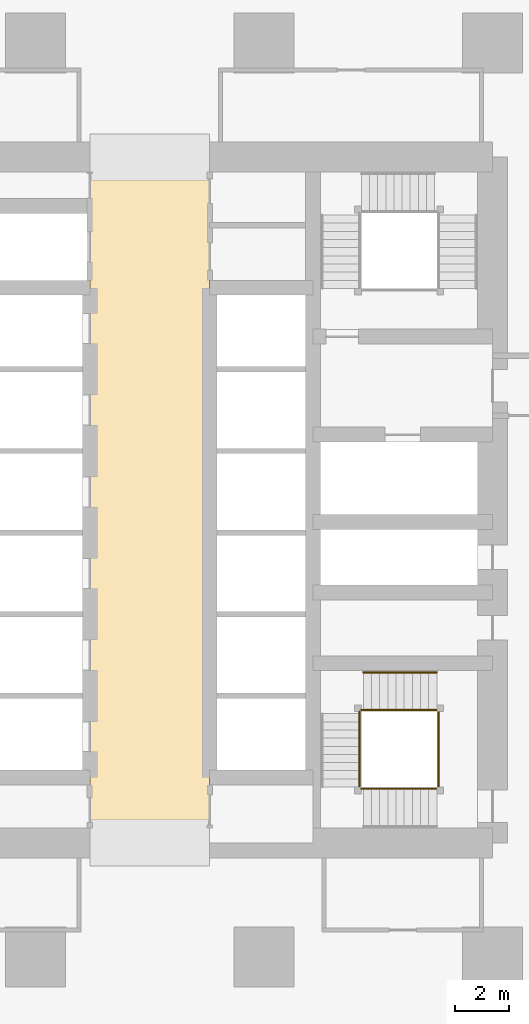
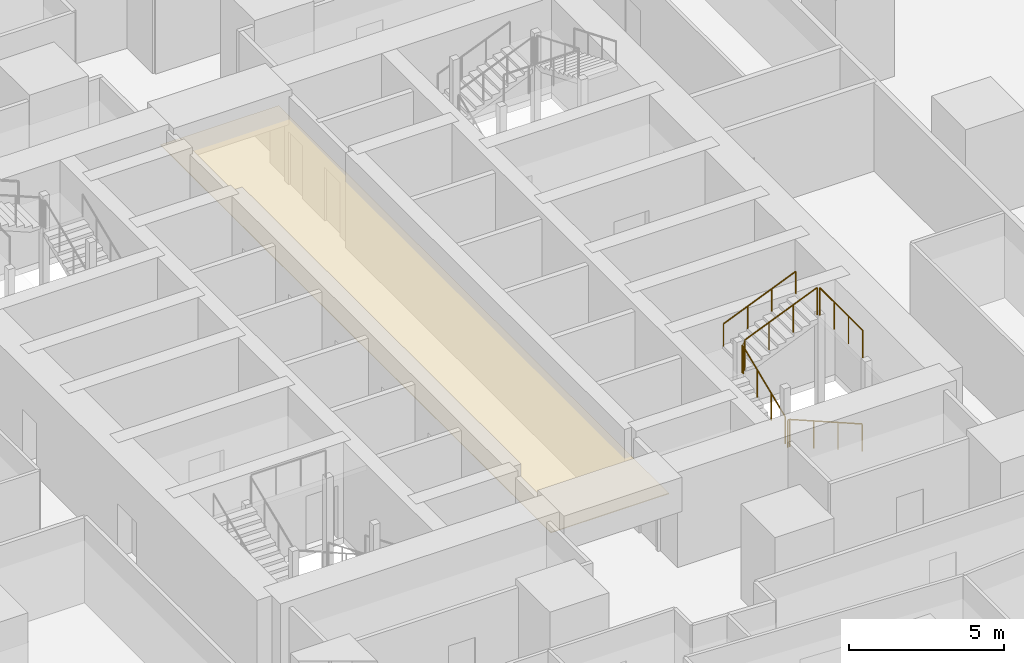
# One storey, part 37 of 42: 8 railings, 1 covering.
"""IFC4 building model written with IfcOpenShell, lengths in metres."""

import ifcopenshell
import ifcopenshell.guid

model = None  # the IFC model being written
_history = None  # IfcOwnerHistory: only IFC2X3 demands one
_inside = {}  # id of a spatial element -> (the spatial element, [elements in it])
_under = {}  # id of a project, library or spatial element -> (it, [spatial elements below it])
_declared = {}  # id of a project -> (the project, [libraries it declares])
_typed = {}  # id of a type object -> (the type object, [elements of that type])
_made_of = {}  # id of a material, layer set ... -> (it, [elements and type objects made of it])


def new_model(schema):
    """Start an empty IFC model of exactly this schema.

    Asked for "IFC4X3", IfcOpenShell would pick the latest addendum, in which some entities
    have other attributes; the version numbers below select the first issue.
    IFC2X3 requires an IfcOwnerHistory on every rooted entity: one is made here for all.
    """
    global model, _history
    if schema == "IFC4X3":
        model = ifcopenshell.file(schema_version=(4, 3, 0, 0))
    else:
        model = ifcopenshell.file(schema=schema)
    _inside.clear()
    _under.clear()
    _declared.clear()
    _typed.clear()
    _made_of.clear()
    _history = None
    if model.schema == "IFC2X3":
        org = make("IfcOrganization", Name="unknown")
        user = make(
            "IfcPersonAndOrganization",
            ThePerson=make("IfcPerson", FamilyName="unknown"),
            TheOrganization=org,
        )
        app = make(
            "IfcApplication",
            ApplicationDeveloper=org,
            Version="unknown",
            ApplicationFullName="unknown",
            ApplicationIdentifier="unknown",
        )
        _history = make(
            "IfcOwnerHistory",
            OwningUser=user,
            OwningApplication=app,
            ChangeAction="ADDED",
            CreationDate=0,
        )
    return model


def make(cls, **values):
    """One entity of the class cls with the attributes given. An attribute that is None is left unset."""
    return model.create_entity(
        cls, **{name: value for name, value in values.items() if value is not None}
    )


def rooted(cls, **values):
    """An entity with a GlobalId (a new one), such as an element, a storey or a relation."""
    return make(cls, GlobalId=ifcopenshell.guid.new(), OwnerHistory=_history, **values)


def si_unit(unit_type, name, prefix=None):
    """IfcSIUnit, for example si_unit("LENGTHUNIT", "METRE", prefix="MILLI")."""
    return make("IfcSIUnit", UnitType=unit_type, Prefix=prefix, Name=name)


def assignment(units):
    """IfcUnitAssignment: the units of a project."""
    return None if units is None else make("IfcUnitAssignment", Units=units)


def point(xyz):
    """IfcCartesianPoint."""
    return None if xyz is None else make("IfcCartesianPoint", Coordinates=xyz)


def direction(xyz):
    """IfcDirection."""
    return None if xyz is None else make("IfcDirection", DirectionRatios=xyz)


def frame(location, z_axis=None, x_axis=None):
    """IfcAxis2Placement3D, a coordinate frame: its origin and axes. An axis left out is left unset."""
    return make(
        "IfcAxis2Placement3D",
        Location=point(location),
        Axis=direction(z_axis),
        RefDirection=direction(x_axis),
    )


def frame_2d(location, x_axis=None):
    """IfcAxis2Placement2D, a coordinate frame in the plane: its origin and x axis."""
    return make(
        "IfcAxis2Placement2D", Location=point(location), RefDirection=direction(x_axis)
    )


def origin():
    """The frame at (0, 0, 0) with its axes left unset."""
    return frame((0.0, 0.0, 0.0))


def origin_2d():
    """The frame at (0, 0) in the plane with its x axis left unset."""
    return frame_2d((0.0, 0.0))


def place(relative_to, where):
    """IfcLocalPlacement: puts the frame where relative to a parent placement (None: the world)."""
    return make(
        "IfcLocalPlacement", PlacementRelTo=relative_to, RelativePlacement=where
    )


def context(
    kind, dimensions, precision=None, world=None, true_north=None, identifier=None
):
    """IfcGeometricRepresentationContext, for example the 3D "Model" context."""
    return make(
        "IfcGeometricRepresentationContext",
        ContextIdentifier=identifier,
        ContextType=kind,
        CoordinateSpaceDimension=dimensions,
        Precision=precision,
        WorldCoordinateSystem=world,
        TrueNorth=true_north,
    )


def subcontext(parent, identifier, kind, view, scale=None):
    """IfcGeometricRepresentationSubContext, for example "Body" below "Model"."""
    return make(
        "IfcGeometricRepresentationSubContext",
        ContextIdentifier=identifier,
        ContextType=kind,
        ParentContext=parent,
        TargetScale=scale,
        TargetView=view,
    )


def project(units=None, contexts=None):
    """IfcProject with its units and contexts."""
    return rooted(
        "IfcProject",
        Name="project",
        RepresentationContexts=contexts,
        UnitsInContext=assignment(units),
    )


def spatial(cls, under=None, at=None, **own):
    """A site, building, storey or space (cls), placed at a placement, below another one or the project."""
    s = rooted(cls, ObjectPlacement=at, **own)
    if under is not None:
        _under.setdefault(under.id(), (under, []))[1].append(s)
    return s


def polyline(points):
    """IfcPolyline through the points."""
    return make("IfcPolyline", Points=[point(p) for p in points])


def profile(cls, at=None, kind="AREA", **sizes):
    """A parametric profile (cls). Its sizes go by their IFC names, for example OverallWidth=200.0."""
    return make(cls, ProfileType=kind, Position=at, **sizes)


def circle(**sizes):
    """IfcCircleProfileDef."""
    return profile("IfcCircleProfileDef", **sizes)


def outline(outer, holes=None, kind="AREA"):
    """IfcArbitraryClosedProfileDef: a profile drawn as a closed curve; with holes, ...WithVoids."""
    if holes is None:
        return make("IfcArbitraryClosedProfileDef", ProfileType=kind, OuterCurve=outer)
    return make(
        "IfcArbitraryProfileDefWithVoids",
        ProfileType=kind,
        OuterCurve=outer,
        InnerCurves=holes,
    )


def extrude(swept, where, along, depth):
    """IfcExtrudedAreaSolid: the profile swept, set in the frame where, extruded along a direction by depth."""
    return make(
        "IfcExtrudedAreaSolid",
        SweptArea=swept,
        Position=where,
        ExtrudedDirection=direction(along),
        Depth=depth,
    )


def shape(context_of_items, identifier, shape_type, items):
    """IfcShapeRepresentation: the items that make up one representation, for example the "Body"."""
    return make(
        "IfcShapeRepresentation",
        ContextOfItems=context_of_items,
        RepresentationIdentifier=identifier,
        RepresentationType=shape_type,
        Items=items,
    )


def material(Name=None, Category=None):
    """IfcMaterial."""
    return make("IfcMaterial", Name=Name, Category=Category)


def layer(
    of_material, thickness, ventilated=None, Name=None, Category=None, Priority=None
):
    """IfcMaterialLayer: one layer of a wall or slab, of a material (None: an air gap)."""
    return make(
        "IfcMaterialLayer",
        Material=of_material,
        LayerThickness=thickness,
        IsVentilated=ventilated,
        Name=Name,
        Category=Category,
        Priority=Priority,
    )


def layer_set(layers, Name=None):
    """IfcMaterialLayerSet."""
    return make("IfcMaterialLayerSet", MaterialLayers=layers, LayerSetName=Name)


def made_of(thing, what):
    """Note that an element or type object is made of a material, layer set ...; save() writes the relation."""
    if what is not None:
        _made_of.setdefault(what.id(), (what, []))[1].append(thing)
    return thing


def type_object(cls, material=None, **own):
    """A type object (cls), such as IfcWallType, which elements share."""
    return made_of(rooted(cls, **own), material)


def element(
    cls,
    number,
    at=None,
    inside=None,
    cuts=None,
    type_object=None,
    material=None,
    context=None,
    identifier="Body",
    shape_type=None,
    held_by="IfcProductDefinitionShape",
    body=None,
    shapes=None,
    **own,
):
    """One element of the class cls, such as IfcWall. Its Tag is "e" and its number.

    at: its placement. inside: the storey or other place that contains it. cuts: it is an
    opening in that element (IfcRelVoidsElement). A single representation is given by context,
    identifier, shape_type and body (its items); several are given by shapes. held_by: the class
    of the entity that holds the representations. save() writes the other relations.
    """
    e = rooted(cls, Tag="e%d" % number, ObjectPlacement=at, **own)
    if body is not None:
        shapes = [shape(context, identifier, shape_type, body)]
    if shapes is not None:
        e.Representation = make(held_by, Representations=shapes)
    if inside is not None:
        _inside.setdefault(inside.id(), (inside, []))[1].append(e)
    if cuts is not None:
        rooted(
            "IfcRelVoidsElement", RelatingBuildingElement=cuts, RelatedOpeningElement=e
        )
    if type_object is not None:
        _typed.setdefault(type_object.id(), (type_object, []))[1].append(e)
    return made_of(e, material)


def aggregate(whole, parts):
    """IfcRelAggregates: a whole, such as a stair, and the parts it consists of."""
    return rooted("IfcRelAggregates", RelatingObject=whole, RelatedObjects=parts)


def save(model, path):
    """Write the relations noted so far, then the file.

    IfcRelAggregates (storeys below a building ...), IfcRelContainedInSpatialStructure (elements
    in a storey), IfcRelDefinesByType, IfcRelAssociatesMaterial and IfcRelDeclares: one each for
    every whole, place, type object, material and project.
    """
    for whole, parts in _under.values():
        aggregate(whole, parts)
    for where, things in _inside.values():
        rooted(
            "IfcRelContainedInSpatialStructure",
            RelatedElements=things,
            RelatingStructure=where,
        )
    for kind, things in _typed.values():
        rooted("IfcRelDefinesByType", RelatedObjects=things, RelatingType=kind)
    for what, things in _made_of.values():
        rooted("IfcRelAssociatesMaterial", RelatedObjects=things, RelatingMaterial=what)
    for by, libraries in _declared.values():
        rooted("IfcRelDeclares", RelatingContext=by, RelatedDefinitions=libraries)
    model.write(path)


model = new_model("IFC4")

# Units and contexts
model_context = context("Model", 3, precision=1e-05, world=origin(), true_north=direction((0.0, 1.0)))
body_context = subcontext(model_context, "Body", "Model", "MODEL_VIEW")
ifc_project = project(units=[si_unit("LENGTHUNIT", "METRE"), si_unit("AREAUNIT", "SQUARE_METRE"), si_unit("VOLUMEUNIT", "CUBIC_METRE"), si_unit("PLANEANGLEUNIT", "RADIAN"), si_unit("MASSUNIT", "GRAM", prefix="KILO")], contexts=[model_context])

# Site, building, storey
site_placement = place(None, origin())
site = spatial("IfcSite", under=ifc_project, at=site_placement, CompositionType="ELEMENT")
building_placement = place(site_placement, origin())
building = spatial("IfcBuilding", under=site, at=building_placement, Name="Rekha Terrace Tower", CompositionType="ELEMENT")
storey_placement = place(building_placement, frame((0.0, 0.0, 70.39990234375)))
storey = spatial("IfcBuildingStorey", under=building, at=storey_placement, Name="L17", CompositionType="ELEMENT", Elevation=70.39990234375)

# Covering
ifc_material_1 = material(Name="Powder-coated aluminium pan", Category="aluminium")
ifc_layer = layer(ifc_material_1, 0.030029296875)
ifc_layer_set = layer_set([ifc_layer], Name="Powder-coated aluminium pan")
covering_type = type_object("IfcCoveringType", Name="CL3 300x1200 metal pan ceiling", PredefinedType="CEILING", material=ifc_layer_set)
covering_placement = place(storey_placement, frame((0.0, 0.0, 2.570068359375)))
element("IfcCovering", 1, at=covering_placement, inside=storey, type_object=covering_type, Name="Ceiling L17-LOBBY", PredefinedType="CEILING", context=body_context, shape_type="SweptSolid", body=[
    extrude(outline(polyline([(40.0, 46.199951171875), (35.60009765625, 46.199951171875), (35.60009765625, 21.0), (40.0, 21.0), (40.0, 46.199951171875)])), origin(), (0.0, 0.0, 1.0), 0.030029296875),
])

# Railings
ifc_material_2 = material(Name="Stainless steel balustrade", Category="steel")
railing_type_1 = type_object("IfcRailingType", Name="GR1 1100 stair guard", PredefinedType="GUARDRAIL", material=ifc_material_2)
railing_1_placement = place(storey_placement, frame((48.35009765625, 22.989990234375, 0.125)))
element("IfcRailing", 2, at=railing_1_placement, inside=storey, type_object=railing_type_1, Name="Guard ST3 L17 flight 1", PredefinedType="GUARDRAIL", context=body_context, shape_type="SweptSolid", body=[
    extrude(circle(Radius=0.02392578125, at=origin_2d()), frame((0.0, 0.0, 1.076171875), z_axis=(-0.923086799901, 0.0, 0.38459167938), x_axis=(0.0, -1.0, 0.0)), (0.0, 0.0, 1.0), 2.92529296875),
    extrude(circle(Radius=0.02099609375, at=origin_2d()), origin(), (0.0, 0.0, 1.0), 1.052001953125),
    extrude(circle(Radius=0.02099609375, at=origin_2d()), frame((-0.900146484375, 0.0, 0.375)), (0.0, 0.0, 1.0), 1.052001953125),
    extrude(circle(Radius=0.02099609375, at=origin_2d()), frame((-1.800048828125, 0.0, 0.75)), (0.0, 0.0, 1.0), 1.052001953125),
    extrude(circle(Radius=0.02099609375, at=origin_2d()), frame((-2.7001953125, 0.0, 1.125)), (0.0, 0.0, 1.0), 1.052001953125),
])
railing_2_placement = place(storey_placement, frame((45.514892578125, 23.050048828125, 1.375)))
element("IfcRailing", 3, at=railing_2_placement, inside=storey, type_object=railing_type_1, Name="Guard ST3 L17 flight 2", PredefinedType="GUARDRAIL", context=body_context, shape_type="SweptSolid", body=[
    extrude(circle(Radius=0.02392578125, at=origin_2d()), frame((0.0, 0.0, 1.076171875), z_axis=(0.0, 0.923074453586, 0.384621311341), x_axis=(-1.0, 0.0, 0.0)), (0.0, 0.0, 1.0), 2.925048828125),
    extrude(circle(Radius=0.02099609375, at=origin_2d()), origin(), (0.0, 0.0, 1.0), 1.052001953125),
    extrude(circle(Radius=0.02099609375, at=origin_2d()), frame((0.0, 0.89990234375, 0.375)), (0.0, 0.0, 1.0), 1.052001953125),
    extrude(circle(Radius=0.02099609375, at=origin_2d()), frame((0.0, 1.800048828125, 0.75)), (0.0, 0.0, 1.0), 1.052001953125),
    extrude(circle(Radius=0.02099609375, at=origin_2d()), frame((0.0, 2.699951171875, 1.125)), (0.0, 0.0, 1.0), 1.052001953125),
])
railing_3_placement = place(storey_placement, frame((45.64990234375, 25.885009765625, 2.625)))
element("IfcRailing", 4, at=railing_3_placement, inside=storey, type_object=railing_type_1, Name="Guard ST3 L17 flight 3", PredefinedType="GUARDRAIL", context=body_context, shape_type="SweptSolid", body=[
    extrude(circle(Radius=0.02392578125, at=origin_2d()), frame((0.0, 0.0, 1.076171875), z_axis=(0.923086799901, 0.0, 0.38459167938), x_axis=(0.0, 1.0, 0.0)), (0.0, 0.0, 1.0), 2.92529296875),
    extrude(circle(Radius=0.02099609375, at=origin_2d()), origin(), (0.0, 0.0, 1.0), 1.052001953125),
    extrude(circle(Radius=0.02099609375, at=origin_2d()), frame((0.900146484375, 0.0, 0.375)), (0.0, 0.0, 1.0), 1.052001953125),
    extrude(circle(Radius=0.02099609375, at=origin_2d()), frame((1.800048828125, 0.0, 0.75)), (0.0, 0.0, 1.0), 1.052001953125),
    extrude(circle(Radius=0.02099609375, at=origin_2d()), frame((2.7001953125, 0.0, 1.125)), (0.0, 0.0, 1.0), 1.052001953125),
])
railing_4_placement = place(storey_placement, frame((45.64990234375, 22.989990234375, 1.25)))
element("IfcRailing", 5, at=railing_4_placement, inside=storey, type_object=railing_type_1, Name="Guard ST3 L17 landing 1", PredefinedType="GUARDRAIL", context=body_context, shape_type="SweptSolid", body=[
    extrude(circle(Radius=0.02392578125, at=origin_2d()), frame((0.0, 0.0, 1.076171875), z_axis=(-1.0, 0.0, 0.0), x_axis=(0.0, -1.0, 0.0)), (0.0, 0.0, 1.0), 0.074951171875),
    extrude(circle(Radius=0.02099609375, at=origin_2d()), origin(), (0.0, 0.0, 1.0), 1.052001953125),
    extrude(circle(Radius=0.02099609375, at=origin_2d()), frame((-0.074951171875, 0.0, 0.0)), (0.0, 0.0, 1.0), 1.052001953125),
])
railing_5_placement = place(storey_placement, frame((45.514892578125, 25.75, 2.5)))
element("IfcRailing", 6, at=railing_5_placement, inside=storey, type_object=railing_type_1, Name="Guard ST3 L17 landing 2", PredefinedType="GUARDRAIL", context=body_context, shape_type="SweptSolid", body=[
    extrude(circle(Radius=0.02392578125, at=origin_2d()), frame((0.0, 0.0, 1.076171875), z_axis=(0.0, 1.0, 0.0), x_axis=(-1.0, 0.0, 0.0)), (0.0, 0.0, 1.0), 0.074951171875),
    extrude(circle(Radius=0.02099609375, at=origin_2d()), origin(), (0.0, 0.0, 1.0), 1.052001953125),
    extrude(circle(Radius=0.02099609375, at=origin_2d()), frame((0.0, 0.074951171875, 0.0)), (0.0, 0.0, 1.0), 1.052001953125),
])
railing_6_placement = place(storey_placement, frame((45.64990234375, 25.885009765625, 2.5)))
element("IfcRailing", 7, at=railing_6_placement, inside=storey, type_object=railing_type_1, Name="Guard ST3 L17 landing 3", PredefinedType="GUARDRAIL", context=body_context, shape_type="SweptSolid", body=[
    extrude(circle(Radius=0.02392578125, at=origin_2d()), frame((0.0, 0.0, 1.076171875), z_axis=(-1.0, 0.0, 0.0), x_axis=(0.0, -1.0, 0.0)), (0.0, 0.0, 1.0), 0.074951171875),
    extrude(circle(Radius=0.02099609375, at=origin_2d()), origin(), (0.0, 0.0, 1.0), 1.052001953125),
    extrude(circle(Radius=0.02099609375, at=origin_2d()), frame((-0.074951171875, 0.0, 0.0)), (0.0, 0.0, 1.0), 1.052001953125),
])
railing_7_placement = place(storey_placement, frame((48.409912109375, 23.050048828125, 3.75)))
element("IfcRailing", 8, at=railing_7_placement, inside=storey, type_object=railing_type_1, Name="Guard ST3 L17 landing 4", PredefinedType="GUARDRAIL", context=body_context, shape_type="SweptSolid", body=[
    extrude(circle(Radius=0.02392578125, at=origin_2d()), frame((0.0, 0.0, 1.076171875), z_axis=(0.0, 1.0, 0.0), x_axis=(-1.0, 0.0, 0.0)), (0.0, 0.0, 1.0), 2.77490234375),
    extrude(circle(Radius=0.02099609375, at=origin_2d()), origin(), (0.0, 0.0, 1.0), 1.052001953125),
    extrude(circle(Radius=0.02099609375, at=origin_2d()), frame((0.0, 0.925048828125, 0.0)), (0.0, 0.0, 1.0), 1.052001953125),
    extrude(circle(Radius=0.02099609375, at=origin_2d()), frame((0.0, 1.849853515625, 0.0)), (0.0, 0.0, 1.0), 1.052001953125),
    extrude(circle(Radius=0.02099609375, at=origin_2d()), frame((0.0, 2.77490234375, 0.0)), (0.0, 0.0, 1.0), 1.052001953125),
])
ifc_material_3 = material(Name="Stainless steel tube", Category="steel")
railing_type_2 = type_object("IfcRailingType", Name="HR1 900 stair handrail", PredefinedType="HANDRAIL", material=ifc_material_3)
railing_8_placement = place(storey_placement, frame((45.64990234375, 27.264892578125, 2.625)))
element("IfcRailing", 9, at=railing_8_placement, inside=storey, type_object=railing_type_2, Name="Handrail ST3 L17 flight 3", PredefinedType="HANDRAIL", context=body_context, shape_type="SweptSolid", body=[
    extrude(circle(Radius=0.02392578125, at=origin_2d()), frame((0.0, 0.0, 0.8759765625), z_axis=(0.923086799901, 0.0, 0.38459167938), x_axis=(0.0, 1.0, 0.0)), (0.0, 0.0, 1.0), 2.92529296875),
    extrude(circle(Radius=0.02099609375, at=origin_2d()), origin(), (0.0, 0.0, 1.0), 0.851806640625),
    extrude(circle(Radius=0.02099609375, at=origin_2d()), frame((0.900146484375, 0.0, 0.375)), (0.0, 0.0, 1.0), 0.851806640625),
    extrude(circle(Radius=0.02099609375, at=origin_2d()), frame((1.800048828125, 0.0, 0.75)), (0.0, 0.0, 1.0), 0.851806640625),
    extrude(circle(Radius=0.02099609375, at=origin_2d()), frame((2.7001953125, 0.0, 1.125)), (0.0, 0.0, 1.0), 0.851806640625),
])

save(model, "model.ifc")
